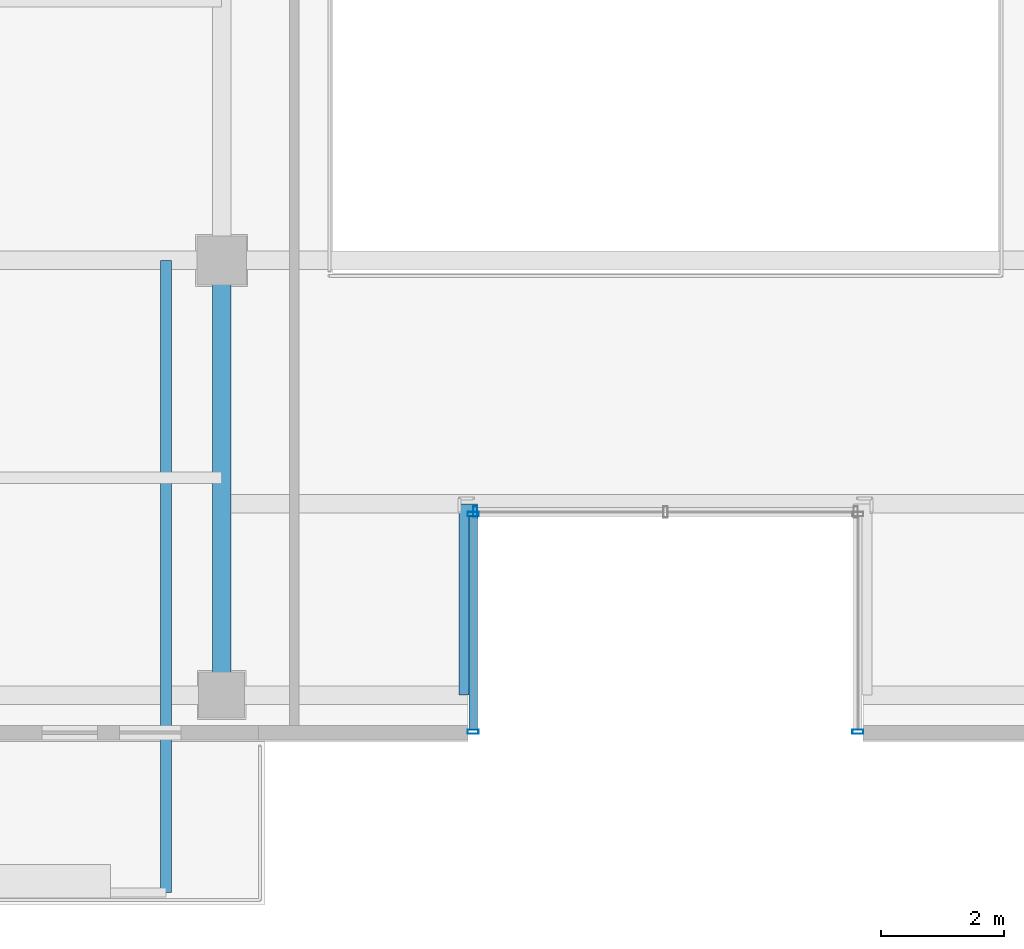
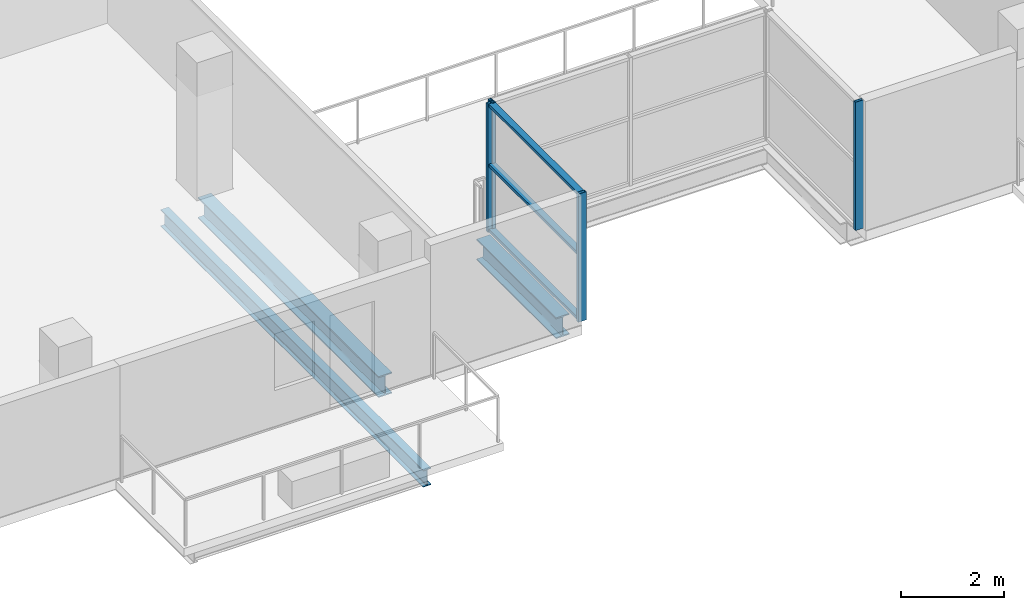
# One storey, part 6 of 25: 7 members, 3 beams, 3 elements without a shape of their own.
"""IFC4 building model written with IfcOpenShell, lengths in metres."""

from ifc_helpers import new_model, si_unit, direction, frame, origin, origin_2d, place, context, subcontext, project, spatial, hollow_rectangle, i_section, extrude, source, transform, mapped, material, layer, layer_set, material_profile, profile_set, type_object, element, aggregate, save


model = new_model("IFC4")

# Units and contexts
model_context = context("Model", 3, precision=1e-05, world=origin(), true_north=direction((0.0, 1.0)))
body_context = subcontext(model_context, "Body", "Model", "MODEL_VIEW")
ifc_project = project(units=[si_unit("LENGTHUNIT", "METRE"), si_unit("AREAUNIT", "SQUARE_METRE"), si_unit("VOLUMEUNIT", "CUBIC_METRE"), si_unit("PLANEANGLEUNIT", "RADIAN"), si_unit("MASSUNIT", "GRAM", prefix="KILO")], contexts=[model_context])

# Site, building, storey
site_placement = place(None, origin())
site = spatial("IfcSite", under=ifc_project, at=site_placement, CompositionType="ELEMENT")
building_placement = place(site_placement, origin())
building = spatial("IfcBuilding", under=site, at=building_placement, Name="Zarnakvel Exchange Tower", CompositionType="ELEMENT")
storey_placement = place(building_placement, frame((0.0, 0.0, 156.10009765625)))
storey = spatial("IfcBuildingStorey", under=building, at=storey_placement, Name="L43", CompositionType="ELEMENT", Elevation=156.10009765625)

# Beams
ifc_material_1 = material(Name="Steel S355", Category="steel")
ifc_material_profile_1 = material_profile(ifc_material_1, i_section(OverallWidth=0.179931640625, OverallDepth=0.39990234375, WebThickness=0.008544921875, FlangeThickness=0.013427734375, FilletRadius=0.02099609375, at=origin_2d()))
ifc_profile_set_1 = profile_set([ifc_material_profile_1], Name="Steel S355")
beam_type_1 = type_object("IfcBeamType", Name="B-06", PredefinedType="JOIST", material=ifc_profile_set_1)
beam_1_placement = place(storey_placement, frame((-8.10009765625, -9.60009765625, -0.425048828125), z_axis=(0.0, -1.0, 0.0), x_axis=(1.0, 0.0, 0.0)))
element("IfcBeam", 1, at=beam_1_placement, inside=storey, type_object=beam_type_1, Name="L43 Continuous Back-Spanned Balcony Beam E", PredefinedType="JOIST", context=body_context, shape_type="SweptSolid", body=[
    extrude(i_section(OverallWidth=0.179931640625, OverallDepth=0.39990234375, WebThickness=0.008544921875, FlangeThickness=0.013427734375, FilletRadius=0.02099609375, at=origin_2d()), origin(), (0.0, 0.0, 1.0), 10.25),
])
ifc_material_profile_2 = material_profile(ifc_material_1, i_section(OverallWidth=0.300048828125, OverallDepth=0.5, WebThickness=0.014404296875, FlangeThickness=0.028076171875, FilletRadius=0.027099609375, at=origin_2d()))
ifc_profile_set_2 = profile_set([ifc_material_profile_2], Name="Steel S355")
beam_type_2 = type_object("IfcBeamType", Name="G-06", PredefinedType="BEAM", material=ifc_profile_set_2)
beam_2_placement = place(storey_placement, frame((-3.199951171875, -16.64990234375, -0.47509765625), z_axis=(0.0, 1.0, 0.0), x_axis=(-1.0, 0.0, 0.0)))
element("IfcBeam", 2, at=beam_2_placement, inside=storey, type_object=beam_type_2, Name="L43 South Slot West Cheek Beam", PredefinedType="BEAM", context=body_context, shape_type="SweptSolid", body=[
    extrude(i_section(OverallWidth=0.300048828125, OverallDepth=0.5, WebThickness=0.014404296875, FlangeThickness=0.028076171875, FilletRadius=0.027099609375, at=origin_2d()), origin(), (0.0, 0.0, 1.0), 3.099853515625),
])
beam_3_placement = place(storey_placement, frame((-7.199951171875, -16.64990234375, -0.47509765625), z_axis=(0.0, 1.0, 0.0), x_axis=(-1.0, 0.0, 0.0)))
element("IfcBeam", 3, at=beam_3_placement, inside=storey, type_object=beam_type_2, Name="L43 Tower N-S Frame Beam", PredefinedType="BEAM", context=body_context, shape_type="SweptSolid", body=[
    extrude(i_section(OverallWidth=0.300048828125, OverallDepth=0.5, WebThickness=0.014404296875, FlangeThickness=0.028076171875, FilletRadius=0.027099609375, at=origin_2d()), origin(), (0.0, 0.0, 1.0), 7.0498046875),
])

# Curtain wall, members
ifc_material_2 = material(Name="Architectural Bronze Anodised Aluminium", Category="aluminium")
ifc_layer = layer(ifc_material_2, 0.179931640625)
ifc_layer_set = layer_set([ifc_layer], Name="Architectural Bronze Anodised Aluminium")
curtain_wall_type = type_object("IfcCurtainWallType", Name="CW-05", PredefinedType="NOTDEFINED", material=ifc_layer_set)
curtain_wall_1_placement = place(storey_placement, origin())
curtain_wall_1 = element("IfcCurtainWall", 4, at=curtain_wall_1_placement, inside=storey, type_object=curtain_wall_type, Name="L43 Curtain Wall CW-L43-SLW (CW-05)", PredefinedType="NOTDEFINED")
ifc_material_profile_3 = material_profile(ifc_material_2, hollow_rectangle(XDim=0.139892578125, YDim=0.070068359375, WallThickness=0.00390625, at=origin_2d()))
ifc_profile_set_3 = profile_set([ifc_material_profile_3], Name="Architectural Bronze Anodised Aluminium")
member_type_1 = type_object("IfcMemberType", Name="CWT-05", PredefinedType="USERDEFINED", material=ifc_profile_set_3)
shared_shape_1 = source(origin(), body_context, "Body", "SweptSolid", [
    extrude(hollow_rectangle(XDim=0.139892578125, YDim=0.070068359375, WallThickness=0.00390625, at=origin_2d()), origin(), (0.0, 0.0, 1.0), 3.4599609375),
])
member_1_placement = place(storey_placement, frame((-3.1201171875, -17.2099609375, 0.034912109375), z_axis=(0.0, 1.0, 0.0), x_axis=(-1.0, 0.0, 0.0)))
member_1 = element("IfcMember", 5, at=member_1_placement, type_object=member_type_1, Name="CW-05 transom 1.1", ObjectType="TRANSOM", PredefinedType="USERDEFINED", context=body_context, shape_type="MappedRepresentation", body=[
    mapped(shared_shape_1, transform((0.0, 0.0, 0.0), x_axis=(1.0, 0.0, 0.0), y_axis=(0.0, 1.0, 0.0), z_axis=(0.0, 0.0, 1.0), scale=1.0)),
])
member_2_placement = place(storey_placement, frame((-3.1201171875, -17.2099609375, 1.588623046875), z_axis=(0.0, 1.0, 0.0), x_axis=(-1.0, 0.0, 0.0)))
member_2 = element("IfcMember", 6, at=member_2_placement, type_object=member_type_1, Name="CW-05 transom 1.2", ObjectType="TRANSOM", PredefinedType="USERDEFINED", context=body_context, shape_type="MappedRepresentation", body=[
    mapped(shared_shape_1, transform((0.0, 0.0, 0.0), x_axis=(1.0, 0.0, 0.0), y_axis=(0.0, 1.0, 0.0), z_axis=(0.0, 0.0, 1.0), scale=1.0)),
])
member_3_placement = place(storey_placement, frame((-3.1201171875, -17.2099609375, 3.02001953125), z_axis=(0.0, 1.0, 0.0), x_axis=(-1.0, 0.0, 0.0)))
member_3 = element("IfcMember", 7, at=member_3_placement, type_object=member_type_1, Name="CW-05 transom 1.3", ObjectType="TRANSOM", PredefinedType="USERDEFINED", context=body_context, shape_type="MappedRepresentation", body=[
    mapped(shared_shape_1, transform((0.0, 0.0, 0.0), x_axis=(1.0, 0.0, 0.0), y_axis=(0.0, 1.0, 0.0), z_axis=(0.0, 0.0, 1.0), scale=1.0)),
])
ifc_material_profile_4 = material_profile(ifc_material_2, hollow_rectangle(XDim=0.179931640625, YDim=0.070068359375, WallThickness=0.00390625, at=origin_2d()))
ifc_profile_set_4 = profile_set([ifc_material_profile_4], Name="Architectural Bronze Anodised Aluminium")
member_type_2 = type_object("IfcMemberType", Name="CWM-05", PredefinedType="MULLION", material=ifc_profile_set_4)
shared_shape_2 = source(origin(), body_context, "Body", "SweptSolid", [
    extrude(hollow_rectangle(XDim=0.179931640625, YDim=0.070068359375, WallThickness=0.00390625, at=origin_2d()), origin(), (0.0, 0.0, 1.0), 3.054931640625),
])
member_4_placement = place(storey_placement, frame((-3.1201171875, -17.2451171875, 0.0), z_axis=(0.0, 0.0, 1.0), x_axis=(-1.0, 0.0, 0.0)))
member_4 = element("IfcMember", 8, at=member_4_placement, type_object=member_type_2, Name="CW-05 mullion 1", PredefinedType="MULLION", context=body_context, shape_type="MappedRepresentation", body=[
    mapped(shared_shape_2, transform((0.0, 0.0, 0.0), x_axis=(1.0, 0.0, 0.0), y_axis=(0.0, 1.0, 0.0), z_axis=(0.0, 0.0, 1.0), scale=1.0)),
])
member_5_placement = place(storey_placement, frame((-3.1201171875, -13.715087890625, 0.0), z_axis=(0.0, 0.0, 1.0), x_axis=(-1.0, 0.0, 0.0)))
member_5 = element("IfcMember", 9, at=member_5_placement, type_object=member_type_2, Name="CW-05 mullion 2", PredefinedType="MULLION", context=body_context, shape_type="MappedRepresentation", body=[
    mapped(shared_shape_2, transform((0.0, 0.0, 0.0), x_axis=(1.0, 0.0, 0.0), y_axis=(0.0, 1.0, 0.0), z_axis=(0.0, 0.0, 1.0), scale=1.0)),
])
aggregate(curtain_wall_1, [member_4, member_5, member_1, member_2, member_3])

# Curtain wall, member
curtain_wall_2_placement = place(storey_placement, origin())
curtain_wall_2 = element("IfcCurtainWall", 10, at=curtain_wall_2_placement, inside=storey, type_object=curtain_wall_type, Name="L43 Curtain Wall CW-L43-SLB (CW-05)", PredefinedType="NOTDEFINED")
member_6_placement = place(storey_placement, frame((-3.0849609375, -13.679931640625, 0.0), z_axis=(0.0, 0.0, 1.0), x_axis=(0.0, 1.0, 0.0)))
member_6 = element("IfcMember", 11, at=member_6_placement, type_object=member_type_2, Name="CW-05 mullion 1", PredefinedType="MULLION", context=body_context, shape_type="MappedRepresentation", body=[
    mapped(shared_shape_2, transform((0.0, 0.0, 0.0), x_axis=(1.0, 0.0, 0.0), y_axis=(0.0, 1.0, 0.0), z_axis=(0.0, 0.0, 1.0), scale=1.0)),
])
aggregate(curtain_wall_2, [member_6])

curtain_wall_3_placement = place(storey_placement, origin())
curtain_wall_3 = element("IfcCurtainWall", 12, at=curtain_wall_3_placement, inside=storey, type_object=curtain_wall_type, Name="L43 Curtain Wall CW-L43-SLE (CW-05)", PredefinedType="NOTDEFINED")
member_7_placement = place(storey_placement, frame((3.1201171875, -17.2451171875, 0.0), z_axis=(0.0, 0.0, 1.0), x_axis=(1.0, 0.0, 0.0)))
member_7 = element("IfcMember", 13, at=member_7_placement, type_object=member_type_2, Name="CW-05 mullion 2", PredefinedType="MULLION", context=body_context, shape_type="MappedRepresentation", body=[
    mapped(shared_shape_2, transform((0.0, 0.0, 0.0), x_axis=(1.0, 0.0, 0.0), y_axis=(0.0, 1.0, 0.0), z_axis=(0.0, 0.0, 1.0), scale=1.0)),
])
aggregate(curtain_wall_3, [member_7])

save(model, "model.ifc")
